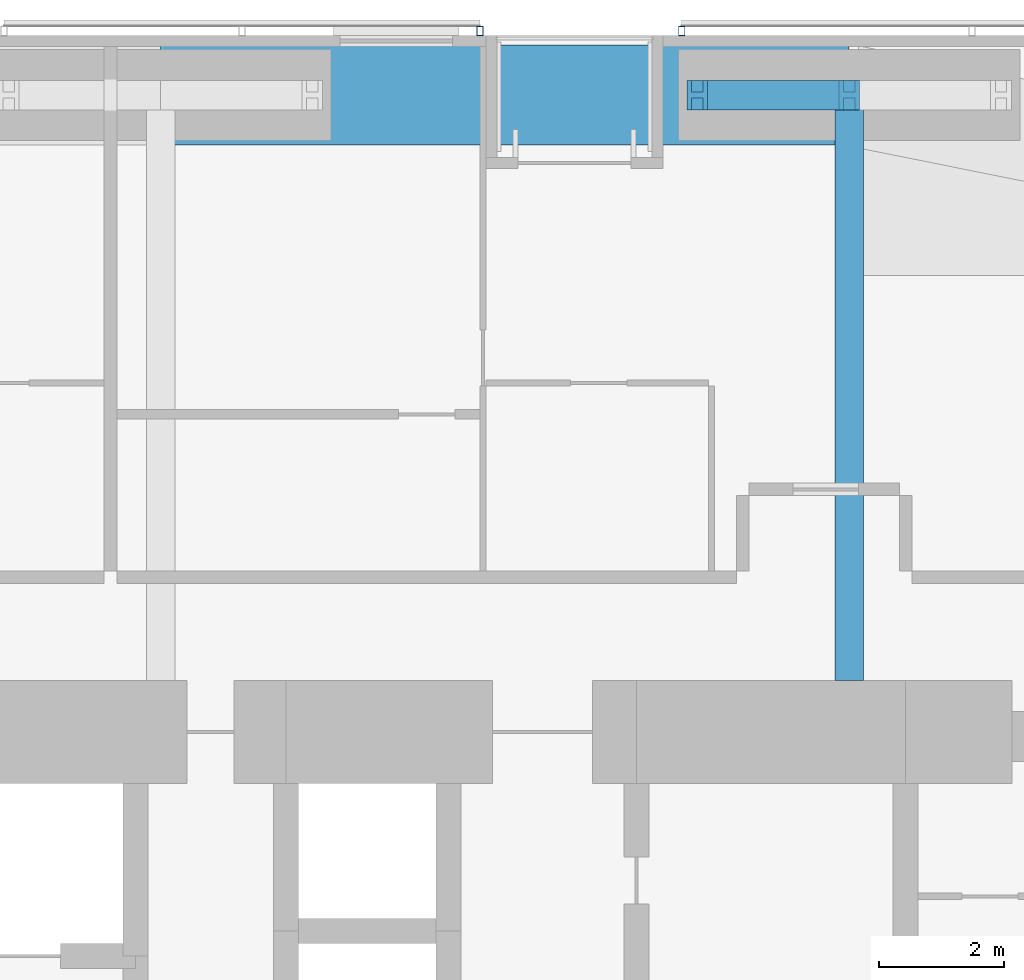
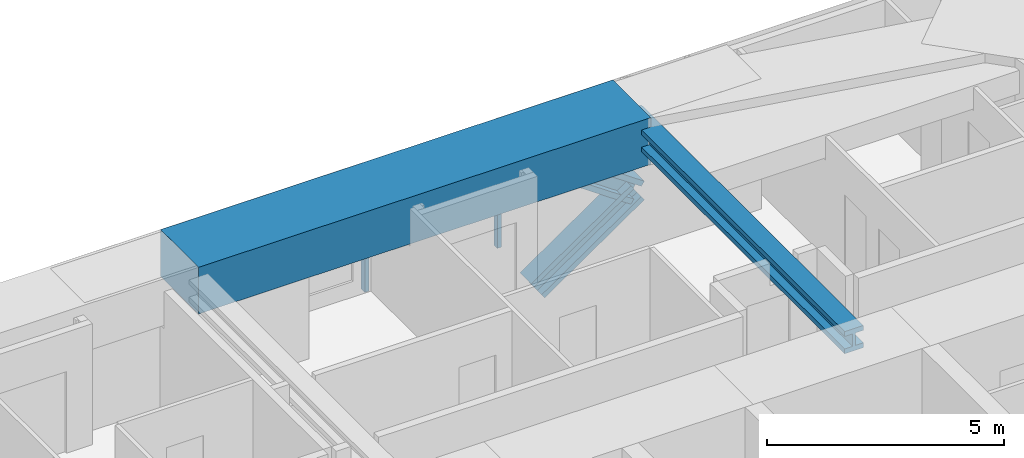
# One storey, part 13 of 23: 4 members, 2 beams, 2 elements without a shape of their own.
"""IFC4 building model written with IfcOpenShell, lengths in metres."""

from ifc_helpers import new_model, si_unit, direction, frame, origin, origin_2d, place, context, subcontext, project, spatial, rectangle, hollow_rectangle, i_section, extrude, material, material_profile, profile_set, type_object, element, aggregate, save


model = new_model("IFC4")

# Units and contexts
model_context = context("Model", 3, precision=1e-05, world=origin(), true_north=direction((0.0, 1.0)))
body_context = subcontext(model_context, "Body", "Model", "MODEL_VIEW")
ifc_project = project(units=[si_unit("LENGTHUNIT", "METRE"), si_unit("AREAUNIT", "SQUARE_METRE"), si_unit("VOLUMEUNIT", "CUBIC_METRE"), si_unit("PLANEANGLEUNIT", "RADIAN"), si_unit("MASSUNIT", "GRAM", prefix="KILO")], contexts=[model_context])

# Site, building, storey
site_placement = place(None, origin())
site = spatial("IfcSite", under=ifc_project, at=site_placement, CompositionType="ELEMENT")
building_placement = place(site_placement, origin())
building = spatial("IfcBuilding", under=site, at=building_placement, Name="Jalousie Tower", CompositionType="ELEMENT")
storey_placement = place(building_placement, frame((0.0, 0.0, 34.39990234375)))
storey = spatial("IfcBuildingStorey", under=building, at=storey_placement, Name="L08", CompositionType="ELEMENT", Elevation=34.39990234375)

# Beam
ifc_material_1 = material(Name="Steel ASTM A992 Grade 50", Category="steel")
ifc_material_profile_1 = material_profile(ifc_material_1, i_section(OverallWidth=0.45458984375, OverallDepth=0.569091796875, WebThickness=0.077880859375, FlangeThickness=0.124755859375, at=origin_2d()), Name="W14X730")
ifc_profile_set_1 = profile_set([ifc_material_profile_1], Name="Steel ASTM A992 Grade 50")
beam_type_1 = type_object("IfcBeamType", Name="LEAN COLLECTOR W14X730", PredefinedType="BEAM", material=ifc_profile_set_1)
beam_1_placement = place(storey_placement, frame((35.0, 37.050048828125, 2.82568359375), z_axis=(0.0, -1.0, 0.0), x_axis=(1.0, 0.0, 0.0)))
element("IfcBeam", 1, at=beam_1_placement, inside=storey, type_object=beam_type_1, Name="Lean collector under L09", PredefinedType="BEAM", context=body_context, shape_type="SweptSolid", body=[
    extrude(i_section(OverallWidth=0.45458984375, OverallDepth=0.569091796875, WebThickness=0.077880859375, FlangeThickness=0.124755859375, at=origin_2d()), origin(), (0.0, 0.0, 1.0), 9.35009765625),
])

# Members
ifc_material_2 = material(Name="Steel ASTM A992 Grade 50", Category="steel")
ifc_material_profile_2 = material_profile(ifc_material_2, i_section(OverallWidth=0.472412109375, OverallDepth=0.5791015625, WebThickness=0.094970703125, FlangeThickness=0.1298828125, at=origin_2d()), Name="W14X808")
ifc_profile_set_2 = profile_set([ifc_material_profile_2], Name="Steel ASTM A992 Grade 50")
member_type_1 = type_object("IfcMemberType", Name="PERIMETER BRACE W14X808", PredefinedType="BRACE", material=ifc_profile_set_2)
for number, where, z_axis, x_axis, name in (
    (2, (32.574951171875, 37.050048828125, -0.599853515625), (0.822800062329, 0.0, 0.568330940062), (0.0, 1.0, 0.0), "Perimeter brace 09 L08 part 1"),
    (3, (35.0, 37.050048828125, 1.0751953125), (-0.82283879777, 0.0, 0.568274856811), (0.0, -1.0, 0.0), "Perimeter brace 09 L08 part 4"),
):
    element("IfcMember", number, at=place(storey_placement, frame(where, z_axis=z_axis, x_axis=x_axis)), inside=storey, type_object=member_type_1, Name=name, PredefinedType="BRACE", context=body_context, shape_type="SweptSolid", body=[
        extrude(i_section(OverallWidth=0.472412109375, OverallDepth=0.5791015625, WebThickness=0.094970703125, FlangeThickness=0.1298828125, at=origin_2d()), origin(), (0.0, 0.0, 1.0), 2.947265625),
    ])

# Beam
ifc_material_3 = material(Name="Concrete f'c 40 MPa", Category="concrete")
ifc_material_profile_3 = material_profile(ifc_material_3, rectangle(XDim=1.60009765625, YDim=1.199951171875, at=origin_2d()), Name="RC 1600x1200")
ifc_profile_set_3 = profile_set([ifc_material_profile_3], Name="Concrete f'c 40 MPa")
beam_type_2 = type_object("IfcBeamType", Name="RC BEAM 1600x1200", PredefinedType="BEAM", material=ifc_profile_set_3)
beam_2_placement = place(storey_placement, frame((35.0, 37.050048828125, 2.75), z_axis=(-1.0, 0.0, 0.0), x_axis=(0.0, -1.0, 0.0)))
element("IfcBeam", 4, at=beam_2_placement, inside=storey, type_object=beam_type_2, Name="Edge band beam 09-10 under L09", PredefinedType="BEAM", context=body_context, shape_type="SweptSolid", body=[
    extrude(rectangle(XDim=1.60009765625, YDim=1.199951171875, at=origin_2d()), origin(), (0.0, 0.0, 1.0), 11.0),
])

# Curtain wall, member
ifc_material_4 = material(Name="Perforated aluminium sheet", Category="aluminium")
curtain_wall_type = type_object("IfcCurtainWallType", Name="SOLAR SCREEN SS-1", PredefinedType="USERDEFINED", material=ifc_material_4)
curtain_wall_1_placement = place(storey_placement, origin())
curtain_wall_1 = element("IfcCurtainWall", 5, at=curtain_wall_1_placement, inside=storey, type_object=curtain_wall_type, Name="Solar screen L08", ObjectType="SOLAR SCREEN SS-1", PredefinedType="USERDEFINED")
ifc_material_5 = material(Name="Steel ASTM A500 Grade C", Category="steel")
ifc_material_profile_4 = material_profile(ifc_material_5, hollow_rectangle(XDim=0.1015625, YDim=0.15234375, WallThickness=0.00634765625, at=origin_2d()), Name="HSS6X4X1/4")
ifc_profile_set_4 = profile_set([ifc_material_profile_4], Name="Steel ASTM A500 Grade C")
member_type_2 = type_object("IfcMemberType", Name="SOLAR SCREEN SS-1 MULLION", PredefinedType="MULLION", material=ifc_profile_set_4)
member_1_placement = place(storey_placement, frame((32.324951171875, 38.0712890625, -0.119873046875), z_axis=(0.0, 0.0, 1.0), x_axis=(-1.0, 0.0, 0.0)))
member_1 = element("IfcMember", 6, at=member_1_placement, type_object=member_type_2, Name="SS1 post 3", PredefinedType="MULLION", context=body_context, shape_type="SweptSolid", body=[
    extrude(hollow_rectangle(XDim=0.1015625, YDim=0.15234375, WallThickness=0.00634765625, at=origin_2d()), origin(), (0.0, 0.0, 1.0), 3.22998046875),
])
aggregate(curtain_wall_1, [member_1])

curtain_wall_2_placement = place(storey_placement, origin())
curtain_wall_2 = element("IfcCurtainWall", 7, at=curtain_wall_2_placement, inside=storey, type_object=curtain_wall_type, Name="Solar screen L08", ObjectType="SOLAR SCREEN SS-1", PredefinedType="USERDEFINED")
member_2_placement = place(storey_placement, frame((29.10009765625, 38.0712890625, -0.119873046875), z_axis=(0.0, 0.0, 1.0), x_axis=(-1.0, 0.0, 0.0)))
member_2 = element("IfcMember", 8, at=member_2_placement, type_object=member_type_2, Name="SS1 post 1", PredefinedType="MULLION", context=body_context, shape_type="SweptSolid", body=[
    extrude(hollow_rectangle(XDim=0.1015625, YDim=0.15234375, WallThickness=0.00634765625, at=origin_2d()), origin(), (0.0, 0.0, 1.0), 3.22998046875),
])
aggregate(curtain_wall_2, [member_2])

save(model, "model.ifc")
